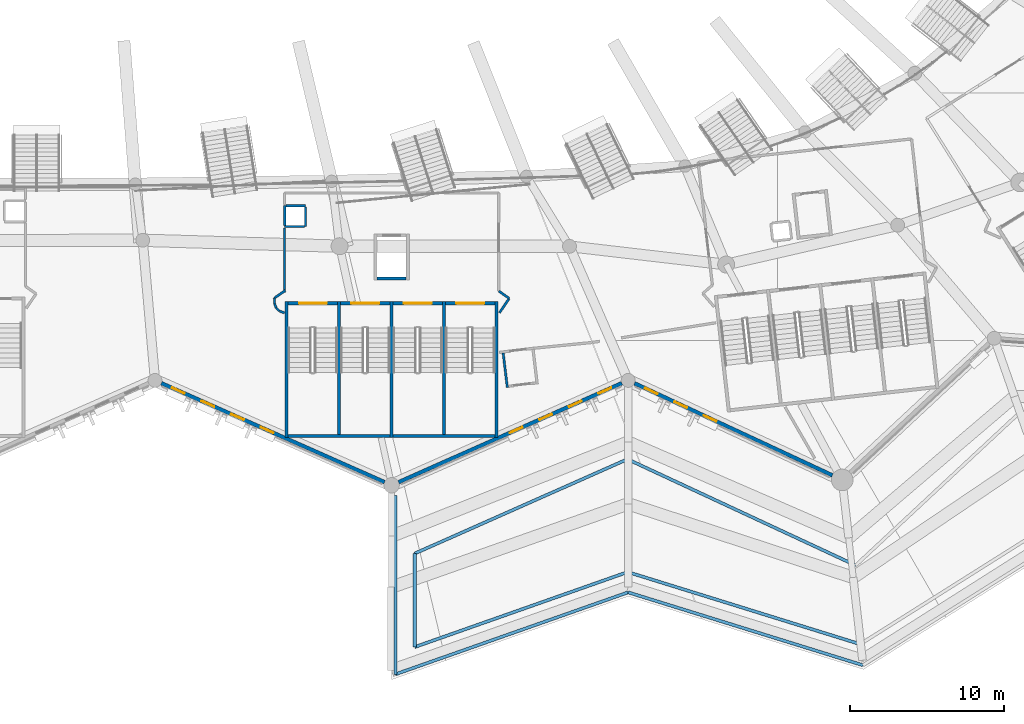
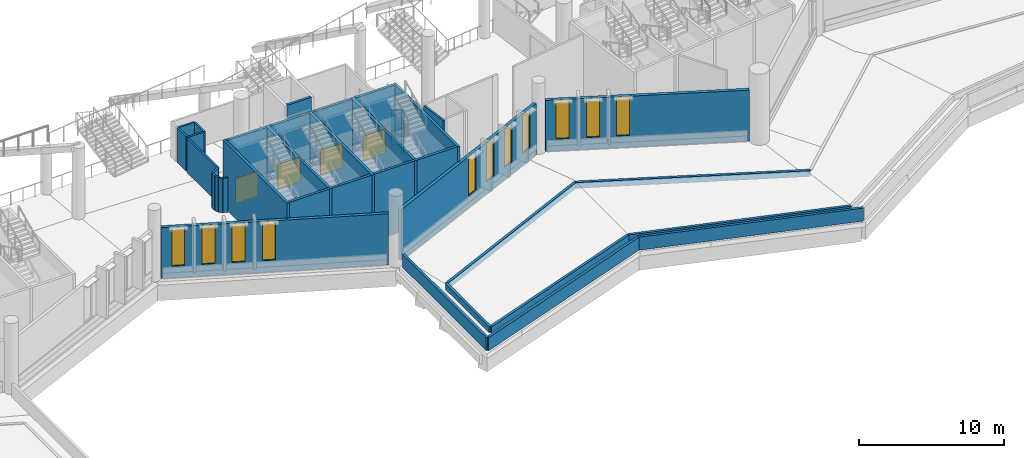
# One storey, part 51 of 173: 36 walls, 11 windows, 4 doors, 15 openings.
"""IFC4 building model written with IfcOpenShell, lengths in metres."""

import ifcopenshell
import ifcopenshell.guid

model = None  # the IFC model being written
_history = None  # IfcOwnerHistory: only IFC2X3 demands one
_inside = {}  # id of a spatial element -> (the spatial element, [elements in it])
_under = {}  # id of a project, library or spatial element -> (it, [spatial elements below it])
_declared = {}  # id of a project -> (the project, [libraries it declares])
_typed = {}  # id of a type object -> (the type object, [elements of that type])
_made_of = {}  # id of a material, layer set ... -> (it, [elements and type objects made of it])


def new_model(schema):
    """Start an empty IFC model of exactly this schema.

    Asked for "IFC4X3", IfcOpenShell would pick the latest addendum, in which some entities
    have other attributes; the version numbers below select the first issue.
    IFC2X3 requires an IfcOwnerHistory on every rooted entity: one is made here for all.
    """
    global model, _history
    if schema == "IFC4X3":
        model = ifcopenshell.file(schema_version=(4, 3, 0, 0))
    else:
        model = ifcopenshell.file(schema=schema)
    _inside.clear()
    _under.clear()
    _declared.clear()
    _typed.clear()
    _made_of.clear()
    _history = None
    if model.schema == "IFC2X3":
        org = make("IfcOrganization", Name="unknown")
        user = make(
            "IfcPersonAndOrganization",
            ThePerson=make("IfcPerson", FamilyName="unknown"),
            TheOrganization=org,
        )
        app = make(
            "IfcApplication",
            ApplicationDeveloper=org,
            Version="unknown",
            ApplicationFullName="unknown",
            ApplicationIdentifier="unknown",
        )
        _history = make(
            "IfcOwnerHistory",
            OwningUser=user,
            OwningApplication=app,
            ChangeAction="ADDED",
            CreationDate=0,
        )
    return model


def make(cls, **values):
    """One entity of the class cls with the attributes given. An attribute that is None is left unset."""
    return model.create_entity(
        cls, **{name: value for name, value in values.items() if value is not None}
    )


def rooted(cls, **values):
    """An entity with a GlobalId (a new one), such as an element, a storey or a relation."""
    return make(cls, GlobalId=ifcopenshell.guid.new(), OwnerHistory=_history, **values)


def si_unit(unit_type, name, prefix=None):
    """IfcSIUnit, for example si_unit("LENGTHUNIT", "METRE", prefix="MILLI")."""
    return make("IfcSIUnit", UnitType=unit_type, Prefix=prefix, Name=name)


def assignment(units):
    """IfcUnitAssignment: the units of a project."""
    return None if units is None else make("IfcUnitAssignment", Units=units)


def point(xyz):
    """IfcCartesianPoint."""
    return None if xyz is None else make("IfcCartesianPoint", Coordinates=xyz)


def direction(xyz):
    """IfcDirection."""
    return None if xyz is None else make("IfcDirection", DirectionRatios=xyz)


def frame(location, z_axis=None, x_axis=None):
    """IfcAxis2Placement3D, a coordinate frame: its origin and axes. An axis left out is left unset."""
    return make(
        "IfcAxis2Placement3D",
        Location=point(location),
        Axis=direction(z_axis),
        RefDirection=direction(x_axis),
    )


def frame_2d(location, x_axis=None):
    """IfcAxis2Placement2D, a coordinate frame in the plane: its origin and x axis."""
    return make(
        "IfcAxis2Placement2D", Location=point(location), RefDirection=direction(x_axis)
    )


def origin():
    """The frame at (0, 0, 0) with its axes left unset."""
    return frame((0.0, 0.0, 0.0))


def place(relative_to, where):
    """IfcLocalPlacement: puts the frame where relative to a parent placement (None: the world)."""
    return make(
        "IfcLocalPlacement", PlacementRelTo=relative_to, RelativePlacement=where
    )


def context(
    kind, dimensions, precision=None, world=None, true_north=None, identifier=None
):
    """IfcGeometricRepresentationContext, for example the 3D "Model" context."""
    return make(
        "IfcGeometricRepresentationContext",
        ContextIdentifier=identifier,
        ContextType=kind,
        CoordinateSpaceDimension=dimensions,
        Precision=precision,
        WorldCoordinateSystem=world,
        TrueNorth=true_north,
    )


def subcontext(parent, identifier, kind, view, scale=None):
    """IfcGeometricRepresentationSubContext, for example "Body" below "Model"."""
    return make(
        "IfcGeometricRepresentationSubContext",
        ContextIdentifier=identifier,
        ContextType=kind,
        ParentContext=parent,
        TargetScale=scale,
        TargetView=view,
    )


def project(units=None, contexts=None):
    """IfcProject with its units and contexts."""
    return rooted(
        "IfcProject",
        Name="project",
        RepresentationContexts=contexts,
        UnitsInContext=assignment(units),
    )


def spatial(cls, under=None, at=None, **own):
    """A site, building, storey or space (cls), placed at a placement, below another one or the project."""
    s = rooted(cls, ObjectPlacement=at, **own)
    if under is not None:
        _under.setdefault(under.id(), (under, []))[1].append(s)
    return s


def profile(cls, at=None, kind="AREA", **sizes):
    """A parametric profile (cls). Its sizes go by their IFC names, for example OverallWidth=200.0."""
    return make(cls, ProfileType=kind, Position=at, **sizes)


def rectangle(**sizes):
    """IfcRectangleProfileDef."""
    return profile("IfcRectangleProfileDef", **sizes)


def extrude(swept, where, along, depth):
    """IfcExtrudedAreaSolid: the profile swept, set in the frame where, extruded along a direction by depth."""
    return make(
        "IfcExtrudedAreaSolid",
        SweptArea=swept,
        Position=where,
        ExtrudedDirection=direction(along),
        Depth=depth,
    )


def shape(context_of_items, identifier, shape_type, items):
    """IfcShapeRepresentation: the items that make up one representation, for example the "Body"."""
    return make(
        "IfcShapeRepresentation",
        ContextOfItems=context_of_items,
        RepresentationIdentifier=identifier,
        RepresentationType=shape_type,
        Items=items,
    )


def material(Name=None, Category=None):
    """IfcMaterial."""
    return make("IfcMaterial", Name=Name, Category=Category)


def layer(
    of_material, thickness, ventilated=None, Name=None, Category=None, Priority=None
):
    """IfcMaterialLayer: one layer of a wall or slab, of a material (None: an air gap)."""
    return make(
        "IfcMaterialLayer",
        Material=of_material,
        LayerThickness=thickness,
        IsVentilated=ventilated,
        Name=Name,
        Category=Category,
        Priority=Priority,
    )


def layer_set(layers, Name=None):
    """IfcMaterialLayerSet."""
    return make("IfcMaterialLayerSet", MaterialLayers=layers, LayerSetName=Name)


def made_of(thing, what):
    """Note that an element or type object is made of a material, layer set ...; save() writes the relation."""
    if what is not None:
        _made_of.setdefault(what.id(), (what, []))[1].append(thing)
    return thing


def type_object(cls, material=None, **own):
    """A type object (cls), such as IfcWallType, which elements share."""
    return made_of(rooted(cls, **own), material)


def element(
    cls,
    number,
    at=None,
    inside=None,
    cuts=None,
    type_object=None,
    material=None,
    context=None,
    identifier="Body",
    shape_type=None,
    held_by="IfcProductDefinitionShape",
    body=None,
    shapes=None,
    **own,
):
    """One element of the class cls, such as IfcWall. Its Tag is "e" and its number.

    at: its placement. inside: the storey or other place that contains it. cuts: it is an
    opening in that element (IfcRelVoidsElement). A single representation is given by context,
    identifier, shape_type and body (its items); several are given by shapes. held_by: the class
    of the entity that holds the representations. save() writes the other relations.
    """
    e = rooted(cls, Tag="e%d" % number, ObjectPlacement=at, **own)
    if body is not None:
        shapes = [shape(context, identifier, shape_type, body)]
    if shapes is not None:
        e.Representation = make(held_by, Representations=shapes)
    if inside is not None:
        _inside.setdefault(inside.id(), (inside, []))[1].append(e)
    if cuts is not None:
        rooted(
            "IfcRelVoidsElement", RelatingBuildingElement=cuts, RelatedOpeningElement=e
        )
    if type_object is not None:
        _typed.setdefault(type_object.id(), (type_object, []))[1].append(e)
    return made_of(e, material)


def fill(opening, filler):
    """IfcRelFillsElement: the door or window that sits in an opening."""
    return rooted(
        "IfcRelFillsElement",
        RelatingOpeningElement=opening,
        RelatedBuildingElement=filler,
    )


def aggregate(whole, parts):
    """IfcRelAggregates: a whole, such as a stair, and the parts it consists of."""
    return rooted("IfcRelAggregates", RelatingObject=whole, RelatedObjects=parts)


def save(model, path):
    """Write the relations noted so far, then the file.

    IfcRelAggregates (storeys below a building ...), IfcRelContainedInSpatialStructure (elements
    in a storey), IfcRelDefinesByType, IfcRelAssociatesMaterial and IfcRelDeclares: one each for
    every whole, place, type object, material and project.
    """
    for whole, parts in _under.values():
        aggregate(whole, parts)
    for where, things in _inside.values():
        rooted(
            "IfcRelContainedInSpatialStructure",
            RelatedElements=things,
            RelatingStructure=where,
        )
    for kind, things in _typed.values():
        rooted("IfcRelDefinesByType", RelatedObjects=things, RelatingType=kind)
    for what, things in _made_of.values():
        rooted("IfcRelAssociatesMaterial", RelatedObjects=things, RelatingMaterial=what)
    for by, libraries in _declared.values():
        rooted("IfcRelDeclares", RelatingContext=by, RelatedDefinitions=libraries)
    model.write(path)


model = new_model("IFC4")

# Units and contexts
model_context = context("Model", 3, precision=1e-05, world=origin(), true_north=direction((0.0, 1.0)))
body_context = subcontext(model_context, "Body", "Model", "MODEL_VIEW")
ifc_project = project(units=[si_unit("LENGTHUNIT", "METRE"), si_unit("AREAUNIT", "SQUARE_METRE"), si_unit("VOLUMEUNIT", "CUBIC_METRE"), si_unit("PLANEANGLEUNIT", "RADIAN"), si_unit("MASSUNIT", "GRAM", prefix="KILO")], contexts=[model_context])

# Site, building, storey
site_placement = place(None, origin())
site = spatial("IfcSite", under=ifc_project, at=site_placement, CompositionType="ELEMENT")
building_placement = place(site_placement, origin())
building = spatial("IfcBuilding", under=site, at=building_placement, Name="Meseta Stadium", CompositionType="ELEMENT")
storey_placement = place(building_placement, frame((0.0, 0.0, 18.0)))
storey = spatial("IfcBuildingStorey", under=building, at=storey_placement, Name="L03", CompositionType="ELEMENT", Elevation=18.0)

# Walls
ifc_material_1 = material(Name="Concrete C40/50", Category="concrete")
ifc_layer_1 = layer(ifc_material_1, 0.199951171875)
ifc_layer_set_1 = layer_set([ifc_layer_1], Name="Core divider wall 200")
wall_type_1 = type_object("IfcWallType", Name="Core divider wall 200", PredefinedType="SHEAR", material=ifc_layer_set_1)
for number, where, z_axis, x_axis, name in (
    (1, (19.60009765625, -102.300048828125, 0.0), (0.0, 0.0, 1.0), (0.0, 1.0, 0.0), "Core 25 L03 stair A divider wall"),
    (2, (26.39990234375, -102.300048828125, 0.0), (0.0, 0.0, 1.0), (0.0, 1.0, 0.0), "Core 25 L03 stair B divider wall"),
):
    element("IfcWall", number, at=place(storey_placement, frame(where, z_axis=z_axis, x_axis=x_axis)), inside=storey, type_object=wall_type_1, Name=name, PredefinedType="SHEAR", context=body_context, shape_type="SweptSolid", body=[
        extrude(rectangle(XDim=8.800048828125, YDim=0.199951171875, at=frame_2d((4.39990234375, 0.0))), origin(), (0.0, 0.0, 1.0), 5.60009765625),
    ])
ifc_material_2 = material(Name="Concrete C40/50", Category="concrete")
ifc_layer_2 = layer(ifc_material_2, 0.199951171875)
ifc_layer_set_2 = layer_set([ifc_layer_2], Name="Core shaft wall 200")
wall_type_2 = type_object("IfcWallType", Name="Core shaft wall 200", PredefinedType="SHEAR", material=ifc_layer_set_2)
for number, where, z_axis, x_axis, name in (
    (3, (16.199951171875, -102.300048828125, 0.0), (0.0, 0.0, 1.0), (0.0, 1.0, 0.0), "Core 25 L03 stair wall A-side"),
    (4, (23.0, -102.300048828125, 0.0), (0.0, 0.0, 1.0), (0.0, 1.0, 0.0), "Core 25 L03 stair wall shared"),
    (5, (29.800048828125, -102.300048828125, 0.0), (0.0, 0.0, 1.0), (0.0, 1.0, 0.0), "Core 25 L03 stair wall B-side"),
):
    element("IfcWall", number, at=place(storey_placement, frame(where, z_axis=z_axis, x_axis=x_axis)), inside=storey, type_object=wall_type_2, Name=name, PredefinedType="SHEAR", context=body_context, shape_type="SweptSolid", body=[
        extrude(rectangle(XDim=8.800048828125, YDim=0.199951171875, at=frame_2d((4.39990234375, 0.0))), origin(), (0.0, 0.0, 1.0), 5.60009765625),
    ])
for number, where, z_axis, x_axis, name in (
    (6, (16.300048828125, -102.199951171875, 0.0), (0.0, 0.0, 1.0), (1.0, 0.0, 0.0), "Core 25 L03 stair A outer end wall"),
    (7, (23.10009765625, -102.199951171875, 0.0), (0.0, 0.0, 1.0), (1.0, 0.0, 0.0), "Core 25 L03 stair B outer end wall"),
):
    element("IfcWall", number, at=place(storey_placement, frame(where, z_axis=z_axis, x_axis=x_axis)), inside=storey, type_object=wall_type_2, Name=name, PredefinedType="SHEAR", context=body_context, shape_type="SweptSolid", body=[
        extrude(rectangle(XDim=6.599853515625, YDim=0.199951171875, at=frame_2d((3.2998046875, 0.0))), origin(), (0.0, 0.0, 1.0), 5.60009765625),
    ])

# Wall, opening, door
wall_1_placement = place(storey_placement, frame((16.300048828125, -93.60009765625, 0.0), z_axis=(0.0, 0.0, 1.0), x_axis=(1.0, 0.0, 0.0)))
wall_1 = element("IfcWall", 8, at=wall_1_placement, inside=storey, type_object=wall_type_2, Name="Core 25 L03 stair A1 inner end wall", PredefinedType="SHEAR", context=body_context, shape_type="SweptSolid", body=[
    extrude(rectangle(XDim=3.199951171875, YDim=0.199951171875, at=frame_2d((1.60009765625, 0.0))), origin(), (0.0, 0.0, 1.0), 5.60009765625),
])
opening_1_placement = place(wall_1_placement, frame((0.699951171875, 0.0, 0.0)))
opening_1 = element("IfcOpeningElement", 9, at=opening_1_placement, cuts=wall_1, Name="Opening D1395", PredefinedType="OPENING", context=body_context, shape_type="SweptSolid", body=[
    extrude(rectangle(XDim=1.800048828125, YDim=2.10009765625, at=frame_2d((0.89990234375, 1.050048828125))), frame((0.0, 0.10986328125, 0.0), z_axis=(0.0, -1.0, 0.0), x_axis=(1.0, 0.0, 0.0)), (0.0, 0.0, 1.0), 0.219970703125),
])
ifc_material_3 = material(Name="Steel", Category="steel")
door_type = type_object("IfcDoorType", Name="Stair door 1800x2100", OperationType="DOUBLE_DOOR_SINGLE_SWING", PredefinedType="DOOR", material=ifc_material_3)
door_1_placement = place(opening_1_placement, origin())
door_1 = element("IfcDoor", 10, at=door_1_placement, inside=storey, type_object=door_type, Name="Stair A1 door 25 L03", OperationType="DOUBLE_DOOR_SINGLE_SWING", OverallHeight=2.10009765625, OverallWidth=1.800048828125, PredefinedType="DOOR", context=body_context, shape_type="SweptSolid", body=[
    extrude(rectangle(XDim=1.800048828125, YDim=2.10009765625, at=frame_2d((0.89990234375, 1.050048828125))), frame((0.0, 0.02490234375, 0.0), z_axis=(0.0, -1.0, 0.0), x_axis=(1.0, 0.0, 0.0)), (0.0, 0.0, 1.0), 0.050048828125),
])
fill(opening_1, door_1)

wall_2_placement = place(storey_placement, frame((19.699951171875, -93.60009765625, 0.0), z_axis=(0.0, 0.0, 1.0), x_axis=(1.0, 0.0, 0.0)))
wall_2 = element("IfcWall", 11, at=wall_2_placement, inside=storey, type_object=wall_type_2, Name="Core 25 L03 stair A2 inner end wall", PredefinedType="SHEAR", context=body_context, shape_type="SweptSolid", body=[
    extrude(rectangle(XDim=3.199951171875, YDim=0.199951171875, at=frame_2d((1.60009765625, 0.0))), origin(), (0.0, 0.0, 1.0), 5.60009765625),
])
opening_2_placement = place(wall_2_placement, frame((0.699951171875, 0.0, 0.0)))
opening_2 = element("IfcOpeningElement", 12, at=opening_2_placement, cuts=wall_2, Name="Opening D1396", PredefinedType="OPENING", context=body_context, shape_type="SweptSolid", body=[
    extrude(rectangle(XDim=1.800048828125, YDim=2.10009765625, at=frame_2d((0.89990234375, 1.050048828125))), frame((0.0, 0.10986328125, 0.0), z_axis=(0.0, -1.0, 0.0), x_axis=(1.0, 0.0, 0.0)), (0.0, 0.0, 1.0), 0.219970703125),
])
door_2_placement = place(opening_2_placement, origin())
door_2 = element("IfcDoor", 13, at=door_2_placement, inside=storey, type_object=door_type, Name="Stair A2 door 25 L03", OperationType="DOUBLE_DOOR_SINGLE_SWING", OverallHeight=2.10009765625, OverallWidth=1.800048828125, PredefinedType="DOOR", context=body_context, shape_type="SweptSolid", body=[
    extrude(rectangle(XDim=1.800048828125, YDim=2.10009765625, at=frame_2d((0.89990234375, 1.050048828125))), frame((0.0, 0.02490234375, 0.0), z_axis=(0.0, -1.0, 0.0), x_axis=(1.0, 0.0, 0.0)), (0.0, 0.0, 1.0), 0.050048828125),
])
fill(opening_2, door_2)

wall_3_placement = place(storey_placement, frame((23.10009765625, -93.60009765625, 0.0), z_axis=(0.0, 0.0, 1.0), x_axis=(1.0, 0.0, 0.0)))
wall_3 = element("IfcWall", 14, at=wall_3_placement, inside=storey, type_object=wall_type_2, Name="Core 25 L03 stair B1 inner end wall", PredefinedType="SHEAR", context=body_context, shape_type="SweptSolid", body=[
    extrude(rectangle(XDim=3.199951171875, YDim=0.199951171875, at=frame_2d((1.60009765625, 0.0))), origin(), (0.0, 0.0, 1.0), 5.60009765625),
])
opening_3_placement = place(wall_3_placement, frame((0.699951171875, 0.0, 0.0)))
opening_3 = element("IfcOpeningElement", 15, at=opening_3_placement, cuts=wall_3, Name="Opening D1397", PredefinedType="OPENING", context=body_context, shape_type="SweptSolid", body=[
    extrude(rectangle(XDim=1.800048828125, YDim=2.10009765625, at=frame_2d((0.89990234375, 1.050048828125))), frame((0.0, 0.10986328125, 0.0), z_axis=(0.0, -1.0, 0.0), x_axis=(1.0, 0.0, 0.0)), (0.0, 0.0, 1.0), 0.219970703125),
])
door_3_placement = place(opening_3_placement, origin())
door_3 = element("IfcDoor", 16, at=door_3_placement, inside=storey, type_object=door_type, Name="Stair B1 door 25 L03", OperationType="DOUBLE_DOOR_SINGLE_SWING", OverallHeight=2.10009765625, OverallWidth=1.800048828125, PredefinedType="DOOR", context=body_context, shape_type="SweptSolid", body=[
    extrude(rectangle(XDim=1.800048828125, YDim=2.10009765625, at=frame_2d((0.89990234375, 1.050048828125))), frame((0.0, 0.02490234375, 0.0), z_axis=(0.0, -1.0, 0.0), x_axis=(1.0, 0.0, 0.0)), (0.0, 0.0, 1.0), 0.050048828125),
])
fill(opening_3, door_3)

wall_4_placement = place(storey_placement, frame((26.5, -93.60009765625, 0.0), z_axis=(0.0, 0.0, 1.0), x_axis=(1.0, 0.0, 0.0)))
wall_4 = element("IfcWall", 17, at=wall_4_placement, inside=storey, type_object=wall_type_2, Name="Core 25 L03 stair B2 inner end wall", PredefinedType="SHEAR", context=body_context, shape_type="SweptSolid", body=[
    extrude(rectangle(XDim=3.199951171875, YDim=0.199951171875, at=frame_2d((1.60009765625, 0.0))), origin(), (0.0, 0.0, 1.0), 5.60009765625),
])
opening_4_placement = place(wall_4_placement, frame((0.699951171875, 0.0, 0.0)))
opening_4 = element("IfcOpeningElement", 18, at=opening_4_placement, cuts=wall_4, Name="Opening D1398", PredefinedType="OPENING", context=body_context, shape_type="SweptSolid", body=[
    extrude(rectangle(XDim=1.800048828125, YDim=2.10009765625, at=frame_2d((0.89990234375, 1.050048828125))), frame((0.0, 0.10986328125, 0.0), z_axis=(0.0, -1.0, 0.0), x_axis=(1.0, 0.0, 0.0)), (0.0, 0.0, 1.0), 0.219970703125),
])
door_4_placement = place(opening_4_placement, origin())
door_4 = element("IfcDoor", 19, at=door_4_placement, inside=storey, type_object=door_type, Name="Stair B2 door 25 L03", OperationType="DOUBLE_DOOR_SINGLE_SWING", OverallHeight=2.10009765625, OverallWidth=1.800048828125, PredefinedType="DOOR", context=body_context, shape_type="SweptSolid", body=[
    extrude(rectangle(XDim=1.800048828125, YDim=2.10009765625, at=frame_2d((0.89990234375, 1.050048828125))), frame((0.0, 0.02490234375, 0.0), z_axis=(0.0, -1.0, 0.0), x_axis=(1.0, 0.0, 0.0)), (0.0, 0.0, 1.0), 0.050048828125),
])
fill(opening_4, door_4)

# Walls
wall_5_placement = place(storey_placement, frame((22.050048828125, -92.0, 0.0), z_axis=(0.0, 0.0, 1.0), x_axis=(1.0, 0.0, 0.0)))
element("IfcWall", 20, at=wall_5_placement, inside=storey, type_object=wall_type_2, Name="Core 25 L03 lift shaft back wall", PredefinedType="SHEAR", context=body_context, shape_type="SweptSolid", body=[
    extrude(rectangle(XDim=1.89990234375, YDim=0.199951171875, at=frame_2d((0.949951171875, 0.0))), origin(), (0.0, 0.0, 1.0), 5.60009765625),
])
ifc_material_4 = material(Name="Masonry blockwork", Category="masonry")
ifc_layer_3 = layer(ifc_material_4, 0.14990234375)
ifc_layer_set_3 = layer_set([ifc_layer_3], Name="Partition 150")
wall_type_3 = type_object("IfcWallType", Name="Partition 150", PredefinedType="PARTITIONING", material=ifc_layer_set_3)
wall_6_placement = place(storey_placement, frame((16.074951171875, -88.625, 0.0), z_axis=(0.0, 0.0, 1.0), x_axis=(1.0, 0.0, 0.0)))
element("IfcWall", 21, at=wall_6_placement, inside=storey, type_object=wall_type_3, Name="Pressurisation shaft wall L03 core 25", PredefinedType="PARTITIONING", context=body_context, shape_type="SweptSolid", body=[
    extrude(rectangle(XDim=1.275146484375, YDim=0.14990234375, at=frame_2d((0.6376953125, 0.0))), origin(), (0.0, 0.0, 1.0), 2.9052734375),
])
wall_7_placement = place(storey_placement, frame((17.425048828125, -88.625, 0.0), z_axis=(0.0, 0.0, 1.0), x_axis=(0.0, 1.0, 0.0)))
element("IfcWall", 22, at=wall_7_placement, inside=storey, type_object=wall_type_3, Name="Pressurisation shaft wall L03 core 25", PredefinedType="PARTITIONING", context=body_context, shape_type="SweptSolid", body=[
    extrude(rectangle(XDim=1.27490234375, YDim=0.14990234375, at=frame_2d((0.637451171875, 0.0))), origin(), (0.0, 0.0, 1.0), 2.9052734375),
])
for number, where, z_axis, x_axis, name in (
    (23, (17.425048828125, -87.27490234375, 0.0), (0.0, 0.0, 1.0), (-1.0, 0.0, 0.0), "Pressurisation shaft wall L03 core 25"),
    (24, (16.074951171875, -87.27490234375, 0.0), (0.0, 0.0, 1.0), (0.0, -1.0, 0.0), "Pressurisation shaft wall L03 core 25"),
):
    element("IfcWall", number, at=place(storey_placement, frame(where, z_axis=z_axis, x_axis=x_axis)), inside=storey, type_object=wall_type_3, Name=name, PredefinedType="PARTITIONING", context=body_context, shape_type="SweptSolid", body=[
        extrude(rectangle(XDim=1.275146484375, YDim=0.14990234375, at=frame_2d((0.6376953125, 0.0))), origin(), (0.0, 0.0, 1.0), 2.9052734375),
    ])
wall_8_placement = place(storey_placement, frame((16.119384765625, -92.763916015625, 0.0), z_axis=(0.0, 0.0, 1.0), x_axis=(-0.817709179483, -0.575631564275, 0.0)))
element("IfcWall", 25, at=wall_8_placement, inside=storey, type_object=wall_type_3, Name="Stair vestibule wall L03 core 25", PredefinedType="PARTITIONING", context=body_context, shape_type="SweptSolid", body=[
    extrude(rectangle(XDim=0.87548828125, YDim=0.14990234375, at=frame_2d((0.437744140625, 0.0))), origin(), (0.0, 0.0, 1.0), 2.9052734375),
])
wall_9_placement = place(storey_placement, frame((15.403564453125, -93.267822265625, 0.0), z_axis=(0.0, 0.0, 1.0), x_axis=(0.038982051143, -0.999239910977, 0.0)))
element("IfcWall", 26, at=wall_9_placement, inside=storey, type_object=wall_type_3, Name="Stair vestibule wall L03 core 25", PredefinedType="PARTITIONING", context=body_context, shape_type="SweptSolid", body=[
    extrude(rectangle(XDim=0.375732421875, YDim=0.14990234375, at=frame_2d((0.18798828125, 0.0))), origin(), (0.0, 0.0, 1.0), 2.9052734375),
])
wall_10_placement = place(storey_placement, frame((15.418212890625, -93.643310546875, 0.0), z_axis=(0.0, 0.0, 1.0), x_axis=(0.382275228123, -0.924048510611, 0.0)))
element("IfcWall", 27, at=wall_10_placement, inside=storey, type_object=wall_type_3, Name="Stair vestibule wall L03 core 25", PredefinedType="PARTITIONING", context=body_context, shape_type="SweptSolid", body=[
    extrude(rectangle(XDim=0.28173828125, YDim=0.14990234375, at=frame_2d((0.140869140625, 0.0))), origin(), (0.0, 0.0, 1.0), 2.9052734375),
])
wall_11_placement = place(storey_placement, frame((15.52587890625, -93.903564453125, 0.0), z_axis=(0.0, 0.0, 1.0), x_axis=(0.707534941396, -0.706678361564, 0.0)))
element("IfcWall", 28, at=wall_11_placement, inside=storey, type_object=wall_type_3, Name="Stair vestibule wall L03 core 25", PredefinedType="PARTITIONING", context=body_context, shape_type="SweptSolid", body=[
    extrude(rectangle(XDim=0.284912109375, YDim=0.14990234375, at=frame_2d((0.142578125, 0.0))), origin(), (0.0, 0.0, 1.0), 2.9052734375),
])
wall_12_placement = place(storey_placement, frame((15.7275390625, -94.10498046875, 0.0), z_axis=(0.0, 0.0, 1.0), x_axis=(0.937674325327, -0.347515265308, 0.0)))
element("IfcWall", 29, at=wall_12_placement, inside=storey, type_object=wall_type_3, Name="Stair vestibule wall L03 core 25", PredefinedType="PARTITIONING", context=body_context, shape_type="SweptSolid", body=[
    extrude(rectangle(XDim=0.356201171875, YDim=0.14990234375, at=frame_2d((0.17822265625, 0.0))), origin(), (0.0, 0.0, 1.0), 2.9052734375),
])
wall_13_placement = place(storey_placement, frame((29.989501953125, -94.2197265625, 0.0), z_axis=(0.0, 0.0, 1.0), x_axis=(0.562120553728, 0.827055308354, 0.0)))
element("IfcWall", 30, at=wall_13_placement, inside=storey, type_object=wall_type_3, Name="Stair vestibule wall L03 core 25", PredefinedType="PARTITIONING", context=body_context, shape_type="SweptSolid", body=[
    extrude(rectangle(XDim=1.1279296875, YDim=0.14990234375, at=frame_2d((0.56396484375, 0.0))), origin(), (0.0, 0.0, 1.0), 2.9052734375),
])
wall_14_placement = place(storey_placement, frame((30.62353515625, -93.286865234375, 0.0), z_axis=(0.0, 0.0, 1.0), x_axis=(-0.81774999294, 0.575573582652, 0.0)))
element("IfcWall", 31, at=wall_14_placement, inside=storey, type_object=wall_type_3, Name="Stair vestibule wall L03 core 25", PredefinedType="PARTITIONING", context=body_context, shape_type="SweptSolid", body=[
    extrude(rectangle(XDim=0.82958984375, YDim=0.14990234375, at=frame_2d((0.414794921875, 0.0))), origin(), (0.0, 0.0, 1.0), 2.9052734375),
])
wall_15_placement = place(storey_placement, frame((16.054931640625, -88.7099609375, 0.0), z_axis=(0.0, 0.0, 1.0), x_axis=(0.0, -1.0, 0.0)))
element("IfcWall", 32, at=wall_15_placement, inside=storey, type_object=wall_type_3, Name="Stair vestibule wall L03 core 25", PredefinedType="PARTITIONING", context=body_context, shape_type="SweptSolid", body=[
    extrude(rectangle(XDim=4.17822265625, YDim=0.14990234375, at=frame_2d((2.089111328125, 0.0))), origin(), (0.0, 0.0, 1.0), 2.9052734375),
])
wall_16_placement = place(storey_placement, frame((30.232421875, -96.8310546875, 0.0), z_axis=(0.0, 0.0, 1.0), x_axis=(0.119359153818, -0.992851143123, 0.0)))
element("IfcWall", 33, at=wall_16_placement, inside=storey, type_object=wall_type_3, Name="Partition L03 L03-cell24-1-0 vestibule", PredefinedType="PARTITIONING", context=body_context, shape_type="SweptSolid", body=[
    extrude(rectangle(XDim=2.25, YDim=0.14990234375, at=frame_2d((1.125, 0.0))), origin(), (0.0, 0.0, 1.0), 5.60009765625),
])
ifc_material_5 = material(Name="Precast concrete C40/50", Category="concrete")
ifc_layer_4 = layer(ifc_material_5, 0.199951171875)
ifc_layer_set_4 = layer_set([ifc_layer_4], Name="Planter kerb 200")
wall_type_4 = type_object("IfcWallType", Name="Planter kerb 200", PredefinedType="USERDEFINED", material=ifc_layer_set_4)
wall_17_placement = place(storey_placement, frame((38.3037109375, -111.020263671875, 0.0), z_axis=(0.0, 0.0, 1.0), x_axis=(-0.943222015463, -0.332162956312, 0.0)))
element("IfcWall", 34, at=wall_17_placement, inside=storey, type_object=wall_type_4, Name="Planter kerb 7.1.1", ObjectType="PLANTER", PredefinedType="USERDEFINED", context=body_context, shape_type="SweptSolid", body=[
    extrude(rectangle(XDim=14.634521484375, YDim=0.199951171875, at=frame_2d((7.3173828125, 0.0))), origin(), (0.0, 0.0, 1.0), 0.5),
])
wall_18_placement = place(storey_placement, frame((24.5, -115.88134765625, 0.0), z_axis=(0.0, 0.0, 1.0), x_axis=(0.0, 1.0, 0.0)))
element("IfcWall", 35, at=wall_18_placement, inside=storey, type_object=wall_type_4, Name="Planter kerb 7.1.2", ObjectType="PLANTER", PredefinedType="USERDEFINED", context=body_context, shape_type="SweptSolid", body=[
    extrude(rectangle(XDim=6.059814453125, YDim=0.199951171875, at=frame_2d((3.02978515625, 0.0))), origin(), (0.0, 0.0, 1.0), 0.5),
])
wall_19_placement = place(storey_placement, frame((24.5, -109.821533203125, 0.0), z_axis=(0.0, 0.0, 1.0), x_axis=(0.914136333713, 0.405406910875, 0.0)))
element("IfcWall", 36, at=wall_19_placement, inside=storey, type_object=wall_type_4, Name="Planter kerb 7.1.3", ObjectType="PLANTER", PredefinedType="USERDEFINED", context=body_context, shape_type="SweptSolid", body=[
    extrude(rectangle(XDim=15.082275390625, YDim=0.199951171875, at=frame_2d((7.541015625, 0.0))), origin(), (0.0, 0.0, 1.0), 0.5),
])
wall_20_placement = place(storey_placement, frame((38.287353515625, -103.70703125, 0.0), z_axis=(0.0, 0.0, 1.0), x_axis=(0.906698889722, -0.421778524083, 0.0)))
element("IfcWall", 37, at=wall_20_placement, inside=storey, type_object=wall_type_4, Name="Planter kerb 7.1.4", ObjectType="PLANTER", PredefinedType="USERDEFINED", context=body_context, shape_type="SweptSolid", body=[
    extrude(rectangle(XDim=16.31689453125, YDim=0.199951171875, at=frame_2d((8.158447265625, 0.0))), origin(), (0.0, 0.0, 1.0), 0.5),
])
wall_21_placement = place(storey_placement, frame((53.37158203125, -115.697265625, 0.0), z_axis=(0.0, 0.0, 1.0), x_axis=(-0.955050390066, 0.296443506311, 0.0)))
element("IfcWall", 38, at=wall_21_placement, inside=storey, type_object=wall_type_4, Name="Planter kerb 7.1.10", ObjectType="PLANTER", PredefinedType="USERDEFINED", context=body_context, shape_type="SweptSolid", body=[
    extrude(rectangle(XDim=15.777099609375, YDim=0.199951171875, at=frame_2d((7.888671875, 0.0))), origin(), (0.0, 0.0, 1.0), 0.5),
])

# Wall, openings, windows
ifc_material_6 = material(Name="White precast concrete C40/50", Category="concrete")
ifc_layer_5 = layer(ifc_material_6, 0.25)
ifc_layer_set_5 = layer_set([ifc_layer_5], Name="Pleated panel wall 250")
wall_type_5 = type_object("IfcWallType", Name="Pleated panel wall 250", PredefinedType="SOLIDWALL", material=ifc_layer_set_5)
wall_22_placement = place(storey_placement, frame((22.54345703125, -105.197509765625, 0.0), z_axis=(0.0, 0.0, 1.0), x_axis=(-0.914138897099, 0.405401130748, 0.0)))
wall_22 = element("IfcWall", 39, at=wall_22_placement, inside=storey, type_object=wall_type_5, Name="Pleated facade panel L03 F47", PredefinedType="SOLIDWALL", context=body_context, shape_type="SweptSolid", body=[
    extrude(rectangle(XDim=15.824462890625, YDim=0.25, at=frame_2d((7.912109375, 0.0))), origin(), (0.0, 0.0, 1.0), 4.300048828125),
])
opening_5_placement = place(wall_22_placement, frame((14.174072265625, 0.0, 1.0)))
opening_5 = element("IfcOpeningElement", 40, at=opening_5_placement, cuts=wall_22, Name="Opening W113", PredefinedType="OPENING", context=body_context, shape_type="SweptSolid", body=[
    extrude(rectangle(XDim=0.89990234375, YDim=3.25, at=frame_2d((0.449951171875, 1.625))), frame((0.0, 0.135009765625, 0.0), z_axis=(0.0, -1.0, 0.0), x_axis=(1.0, 0.0, 0.0)), (0.0, 0.0, 1.0), 0.27001953125),
])
opening_6_placement = place(wall_22_placement, frame((12.073974609375, 0.0, 1.0)))
opening_6 = element("IfcOpeningElement", 41, at=opening_6_placement, cuts=wall_22, Name="Opening W114", PredefinedType="OPENING", context=body_context, shape_type="SweptSolid", body=[
    extrude(rectangle(XDim=0.89990234375, YDim=3.25, at=frame_2d((0.449951171875, 1.625))), frame((0.0, 0.135009765625, 0.0), z_axis=(0.0, -1.0, 0.0), x_axis=(1.0, 0.0, 0.0)), (0.0, 0.0, 1.0), 0.27001953125),
])
opening_7_placement = place(wall_22_placement, frame((9.973876953125, 0.0, 1.0)))
opening_7 = element("IfcOpeningElement", 42, at=opening_7_placement, cuts=wall_22, Name="Opening W115", PredefinedType="OPENING", context=body_context, shape_type="SweptSolid", body=[
    extrude(rectangle(XDim=0.89990234375, YDim=3.25, at=frame_2d((0.449951171875, 1.625))), frame((0.0, 0.135009765625, 0.0), z_axis=(0.0, -1.0, 0.0), x_axis=(1.0, 0.0, 0.0)), (0.0, 0.0, 1.0), 0.27001953125),
])
opening_8_placement = place(wall_22_placement, frame((7.8740234375, 0.0, 1.0)))
opening_8 = element("IfcOpeningElement", 43, at=opening_8_placement, cuts=wall_22, Name="Opening W116", PredefinedType="OPENING", context=body_context, shape_type="SweptSolid", body=[
    extrude(rectangle(XDim=0.89990234375, YDim=3.25, at=frame_2d((0.449951171875, 1.625))), frame((0.0, 0.135009765625, 0.0), z_axis=(0.0, -1.0, 0.0), x_axis=(1.0, 0.0, 0.0)), (0.0, 0.0, 1.0), 0.27001953125),
])
ifc_material_7 = material(Name="Aluminium", Category="aluminium")
window_type = type_object("IfcWindowType", Name="Slot window 900x3250", PartitioningType="SINGLE_PANEL", PredefinedType="WINDOW", material=ifc_material_7)
window_1_placement = place(opening_5_placement, origin())
window_1 = element("IfcWindow", 44, at=window_1_placement, inside=storey, type_object=window_type, Name="Slot window L03 F47.1", OverallHeight=3.25, OverallWidth=0.89990234375, PartitioningType="SINGLE_PANEL", PredefinedType="WINDOW", context=body_context, shape_type="SweptSolid", body=[
    extrude(rectangle(XDim=0.89990234375, YDim=3.25, at=frame_2d((0.449951171875, 1.625))), frame((0.0, 0.030029296875, 0.0), z_axis=(0.0, -1.0, 0.0), x_axis=(1.0, 0.0, 0.0)), (0.0, 0.0, 1.0), 0.06005859375),
])
fill(opening_5, window_1)
window_2_placement = place(opening_6_placement, origin())
window_2 = element("IfcWindow", 45, at=window_2_placement, inside=storey, type_object=window_type, Name="Slot window L03 F47.2", OverallHeight=3.25, OverallWidth=0.89990234375, PartitioningType="SINGLE_PANEL", PredefinedType="WINDOW", context=body_context, shape_type="SweptSolid", body=[
    extrude(rectangle(XDim=0.89990234375, YDim=3.25, at=frame_2d((0.449951171875, 1.625))), frame((0.0, 0.030029296875, 0.0), z_axis=(0.0, -1.0, 0.0), x_axis=(1.0, 0.0, 0.0)), (0.0, 0.0, 1.0), 0.06005859375),
])
fill(opening_6, window_2)
window_3_placement = place(opening_7_placement, origin())
window_3 = element("IfcWindow", 46, at=window_3_placement, inside=storey, type_object=window_type, Name="Slot window L03 F47.3", OverallHeight=3.25, OverallWidth=0.89990234375, PartitioningType="SINGLE_PANEL", PredefinedType="WINDOW", context=body_context, shape_type="SweptSolid", body=[
    extrude(rectangle(XDim=0.89990234375, YDim=3.25, at=frame_2d((0.449951171875, 1.625))), frame((0.0, 0.030029296875, 0.0), z_axis=(0.0, -1.0, 0.0), x_axis=(1.0, 0.0, 0.0)), (0.0, 0.0, 1.0), 0.06005859375),
])
fill(opening_7, window_3)
window_4_placement = place(opening_8_placement, origin())
window_4 = element("IfcWindow", 47, at=window_4_placement, inside=storey, type_object=window_type, Name="Slot window L03 F47.4", OverallHeight=3.25, OverallWidth=0.89990234375, PartitioningType="SINGLE_PANEL", PredefinedType="WINDOW", context=body_context, shape_type="SweptSolid", body=[
    extrude(rectangle(XDim=0.89990234375, YDim=3.25, at=frame_2d((0.449951171875, 1.625))), frame((0.0, 0.030029296875, 0.0), z_axis=(0.0, -1.0, 0.0), x_axis=(1.0, 0.0, 0.0)), (0.0, 0.0, 1.0), 0.06005859375),
])
fill(opening_8, window_4)

wall_23_placement = place(storey_placement, frame((37.92236328125, -98.7822265625, 0.0), z_axis=(0.0, 0.0, 1.0), x_axis=(-0.914138897099, -0.405401130748, 0.0)))
wall_23 = element("IfcWall", 48, at=wall_23_placement, inside=storey, type_object=wall_type_5, Name="Pleated facade panel L03 F48", PredefinedType="SOLIDWALL", context=body_context, shape_type="SweptSolid", body=[
    extrude(rectangle(XDim=15.824462890625, YDim=0.25, at=frame_2d((7.912109375, 0.0))), origin(), (0.0, 0.0, 1.0), 4.300048828125),
])
opening_9_placement = place(wall_23_placement, frame((0.75048828125, 0.0, 1.0)))
opening_9 = element("IfcOpeningElement", 49, at=opening_9_placement, cuts=wall_23, Name="Opening W128", PredefinedType="OPENING", context=body_context, shape_type="SweptSolid", body=[
    extrude(rectangle(XDim=0.89990234375, YDim=3.25, at=frame_2d((0.449951171875, 1.625))), frame((0.0, 0.135009765625, 0.0), z_axis=(0.0, -1.0, 0.0), x_axis=(1.0, 0.0, 0.0)), (0.0, 0.0, 1.0), 0.27001953125),
])
opening_10_placement = place(wall_23_placement, frame((2.850341796875, 0.0, 1.0)))
opening_10 = element("IfcOpeningElement", 50, at=opening_10_placement, cuts=wall_23, Name="Opening W127", PredefinedType="OPENING", context=body_context, shape_type="SweptSolid", body=[
    extrude(rectangle(XDim=0.89990234375, YDim=3.25, at=frame_2d((0.449951171875, 1.625))), frame((0.0, 0.135009765625, 0.0), z_axis=(0.0, -1.0, 0.0), x_axis=(1.0, 0.0, 0.0)), (0.0, 0.0, 1.0), 0.27001953125),
])
opening_11_placement = place(wall_23_placement, frame((4.950439453125, 0.0, 1.0)))
opening_11 = element("IfcOpeningElement", 51, at=opening_11_placement, cuts=wall_23, Name="Opening W126", PredefinedType="OPENING", context=body_context, shape_type="SweptSolid", body=[
    extrude(rectangle(XDim=0.89990234375, YDim=3.25, at=frame_2d((0.449951171875, 1.625))), frame((0.0, 0.135009765625, 0.0), z_axis=(0.0, -1.0, 0.0), x_axis=(1.0, 0.0, 0.0)), (0.0, 0.0, 1.0), 0.27001953125),
])
opening_12_placement = place(wall_23_placement, frame((7.05029296875, 0.0, 1.0)))
opening_12 = element("IfcOpeningElement", 52, at=opening_12_placement, cuts=wall_23, Name="Opening W125", PredefinedType="OPENING", context=body_context, shape_type="SweptSolid", body=[
    extrude(rectangle(XDim=0.89990234375, YDim=3.25, at=frame_2d((0.449951171875, 1.625))), frame((0.0, 0.135009765625, 0.0), z_axis=(0.0, -1.0, 0.0), x_axis=(1.0, 0.0, 0.0)), (0.0, 0.0, 1.0), 0.27001953125),
])
window_5_placement = place(opening_9_placement, origin())
window_5 = element("IfcWindow", 53, at=window_5_placement, inside=storey, type_object=window_type, Name="Slot window L03 F48.1", OverallHeight=3.25, OverallWidth=0.89990234375, PartitioningType="SINGLE_PANEL", PredefinedType="WINDOW", context=body_context, shape_type="SweptSolid", body=[
    extrude(rectangle(XDim=0.89990234375, YDim=3.25, at=frame_2d((0.449951171875, 1.625))), frame((0.0, 0.030029296875, 0.0), z_axis=(0.0, -1.0, 0.0), x_axis=(1.0, 0.0, 0.0)), (0.0, 0.0, 1.0), 0.06005859375),
])
fill(opening_9, window_5)
window_6_placement = place(opening_10_placement, origin())
window_6 = element("IfcWindow", 54, at=window_6_placement, inside=storey, type_object=window_type, Name="Slot window L03 F48.2", OverallHeight=3.25, OverallWidth=0.89990234375, PartitioningType="SINGLE_PANEL", PredefinedType="WINDOW", context=body_context, shape_type="SweptSolid", body=[
    extrude(rectangle(XDim=0.89990234375, YDim=3.25, at=frame_2d((0.449951171875, 1.625))), frame((0.0, 0.030029296875, 0.0), z_axis=(0.0, -1.0, 0.0), x_axis=(1.0, 0.0, 0.0)), (0.0, 0.0, 1.0), 0.06005859375),
])
fill(opening_10, window_6)
window_7_placement = place(opening_11_placement, origin())
window_7 = element("IfcWindow", 55, at=window_7_placement, inside=storey, type_object=window_type, Name="Slot window L03 F48.3", OverallHeight=3.25, OverallWidth=0.89990234375, PartitioningType="SINGLE_PANEL", PredefinedType="WINDOW", context=body_context, shape_type="SweptSolid", body=[
    extrude(rectangle(XDim=0.89990234375, YDim=3.25, at=frame_2d((0.449951171875, 1.625))), frame((0.0, 0.030029296875, 0.0), z_axis=(0.0, -1.0, 0.0), x_axis=(1.0, 0.0, 0.0)), (0.0, 0.0, 1.0), 0.06005859375),
])
fill(opening_11, window_7)
window_8_placement = place(opening_12_placement, origin())
window_8 = element("IfcWindow", 56, at=window_8_placement, inside=storey, type_object=window_type, Name="Slot window L03 F48.4", OverallHeight=3.25, OverallWidth=0.89990234375, PartitioningType="SINGLE_PANEL", PredefinedType="WINDOW", context=body_context, shape_type="SweptSolid", body=[
    extrude(rectangle(XDim=0.89990234375, YDim=3.25, at=frame_2d((0.449951171875, 1.625))), frame((0.0, 0.030029296875, 0.0), z_axis=(0.0, -1.0, 0.0), x_axis=(1.0, 0.0, 0.0)), (0.0, 0.0, 1.0), 0.06005859375),
])
fill(opening_12, window_8)

wall_24_placement = place(storey_placement, frame((51.56884765625, -104.7568359375, 0.0), z_axis=(0.0, 0.0, 1.0), x_axis=(-0.906698705786, 0.421778919491, 0.0)))
wall_24 = element("IfcWall", 57, at=wall_24_placement, inside=storey, type_object=wall_type_5, Name="Pleated facade panel L03 F49", PredefinedType="SOLIDWALL", context=body_context, shape_type="SweptSolid", body=[
    extrude(rectangle(XDim=14.14794921875, YDim=0.25, at=frame_2d((7.073974609375, 0.0))), origin(), (0.0, 0.0, 1.0), 4.300048828125),
])
opening_13_placement = place(wall_24_placement, frame((12.49755859375, 0.0, 1.0)))
opening_13 = element("IfcOpeningElement", 58, at=opening_13_placement, cuts=wall_24, Name="Opening W129", PredefinedType="OPENING", context=body_context, shape_type="SweptSolid", body=[
    extrude(rectangle(XDim=0.89990234375, YDim=3.25, at=frame_2d((0.449951171875, 1.625))), frame((0.0, 0.135009765625, 0.0), z_axis=(0.0, -1.0, 0.0), x_axis=(1.0, 0.0, 0.0)), (0.0, 0.0, 1.0), 0.27001953125),
])
opening_14_placement = place(wall_24_placement, frame((10.3974609375, 0.0, 1.0)))
opening_14 = element("IfcOpeningElement", 59, at=opening_14_placement, cuts=wall_24, Name="Opening W130", PredefinedType="OPENING", context=body_context, shape_type="SweptSolid", body=[
    extrude(rectangle(XDim=0.89990234375, YDim=3.25, at=frame_2d((0.449951171875, 1.625))), frame((0.0, 0.135009765625, 0.0), z_axis=(0.0, -1.0, 0.0), x_axis=(1.0, 0.0, 0.0)), (0.0, 0.0, 1.0), 0.27001953125),
])
opening_15_placement = place(wall_24_placement, frame((8.29736328125, 0.0, 1.0)))
opening_15 = element("IfcOpeningElement", 60, at=opening_15_placement, cuts=wall_24, Name="Opening W131", PredefinedType="OPENING", context=body_context, shape_type="SweptSolid", body=[
    extrude(rectangle(XDim=0.89990234375, YDim=3.25, at=frame_2d((0.449951171875, 1.625))), frame((0.0, 0.135009765625, 0.0), z_axis=(0.0, -1.0, 0.0), x_axis=(1.0, 0.0, 0.0)), (0.0, 0.0, 1.0), 0.27001953125),
])
window_9_placement = place(opening_13_placement, origin())
window_9 = element("IfcWindow", 61, at=window_9_placement, inside=storey, type_object=window_type, Name="Slot window L03 F49.1", OverallHeight=3.25, OverallWidth=0.89990234375, PartitioningType="SINGLE_PANEL", PredefinedType="WINDOW", context=body_context, shape_type="SweptSolid", body=[
    extrude(rectangle(XDim=0.89990234375, YDim=3.25, at=frame_2d((0.449951171875, 1.625))), frame((0.0, 0.030029296875, 0.0), z_axis=(0.0, -1.0, 0.0), x_axis=(1.0, 0.0, 0.0)), (0.0, 0.0, 1.0), 0.06005859375),
])
fill(opening_13, window_9)
window_10_placement = place(opening_14_placement, origin())
window_10 = element("IfcWindow", 62, at=window_10_placement, inside=storey, type_object=window_type, Name="Slot window L03 F49.2", OverallHeight=3.25, OverallWidth=0.89990234375, PartitioningType="SINGLE_PANEL", PredefinedType="WINDOW", context=body_context, shape_type="SweptSolid", body=[
    extrude(rectangle(XDim=0.89990234375, YDim=3.25, at=frame_2d((0.449951171875, 1.625))), frame((0.0, 0.030029296875, 0.0), z_axis=(0.0, -1.0, 0.0), x_axis=(1.0, 0.0, 0.0)), (0.0, 0.0, 1.0), 0.06005859375),
])
fill(opening_14, window_10)
window_11_placement = place(opening_15_placement, origin())
window_11 = element("IfcWindow", 63, at=window_11_placement, inside=storey, type_object=window_type, Name="Slot window L03 F49.3", OverallHeight=3.25, OverallWidth=0.89990234375, PartitioningType="SINGLE_PANEL", PredefinedType="WINDOW", context=body_context, shape_type="SweptSolid", body=[
    extrude(rectangle(XDim=0.89990234375, YDim=3.25, at=frame_2d((0.449951171875, 1.625))), frame((0.0, 0.030029296875, 0.0), z_axis=(0.0, -1.0, 0.0), x_axis=(1.0, 0.0, 0.0)), (0.0, 0.0, 1.0), 0.06005859375),
])
fill(opening_15, window_11)

# Walls
ifc_material_8 = material(Name="Concrete C40/50", Category="concrete")
ifc_layer_6 = layer(ifc_material_8, 0.199951171875)
ifc_layer_set_6 = layer_set([ifc_layer_6], Name="Roof parapet 200")
wall_type_6 = type_object("IfcWallType", Name="Roof parapet 200", PredefinedType="PARAPET", material=ifc_layer_set_6)
wall_25_placement = place(storey_placement, frame((38.328369140625, -112.336669921875, 0.0), z_axis=(0.0, 0.0, 1.0), x_axis=(-0.943215391652, -0.33218176493, 0.0)))
element("IfcWall", 64, at=wall_25_placement, inside=storey, type_object=wall_type_6, Name="Roof parapet 7.43.1", PredefinedType="PARAPET", context=body_context, shape_type="SweptSolid", body=[
    extrude(rectangle(XDim=15.986083984375, YDim=0.199951171875, at=frame_2d((7.9931640625, 0.0))), origin(), (0.0, 0.0, 1.0), 1.10009765625),
])
wall_26_placement = place(storey_placement, frame((23.25, -117.64697265625, 0.0), z_axis=(0.0, 0.0, 1.0), x_axis=(0.0, 1.0, 0.0)))
element("IfcWall", 65, at=wall_26_placement, inside=storey, type_object=wall_type_6, Name="Roof parapet 7.44.1", PredefinedType="PARAPET", context=body_context, shape_type="SweptSolid", body=[
    extrude(rectangle(XDim=11.592041015625, YDim=0.199951171875, at=frame_2d((5.7958984375, 0.0))), origin(), (0.0, 0.0, 1.0), 1.10009765625),
])
wall_27_placement = place(storey_placement, frame((53.55078125, -117.061767578125, 0.0), z_axis=(0.0, 0.0, 1.0), x_axis=(-0.955048136996, 0.296450764918, 0.0)))
element("IfcWall", 66, at=wall_27_placement, inside=storey, type_object=wall_type_6, Name="Roof parapet 7.48.1", PredefinedType="PARAPET", context=body_context, shape_type="SweptSolid", body=[
    extrude(rectangle(XDim=15.93896484375, YDim=0.199951171875, at=frame_2d((7.969482421875, 0.0))), origin(), (0.0, 0.0, 1.0), 1.10009765625),
])

save(model, "model.ifc")
